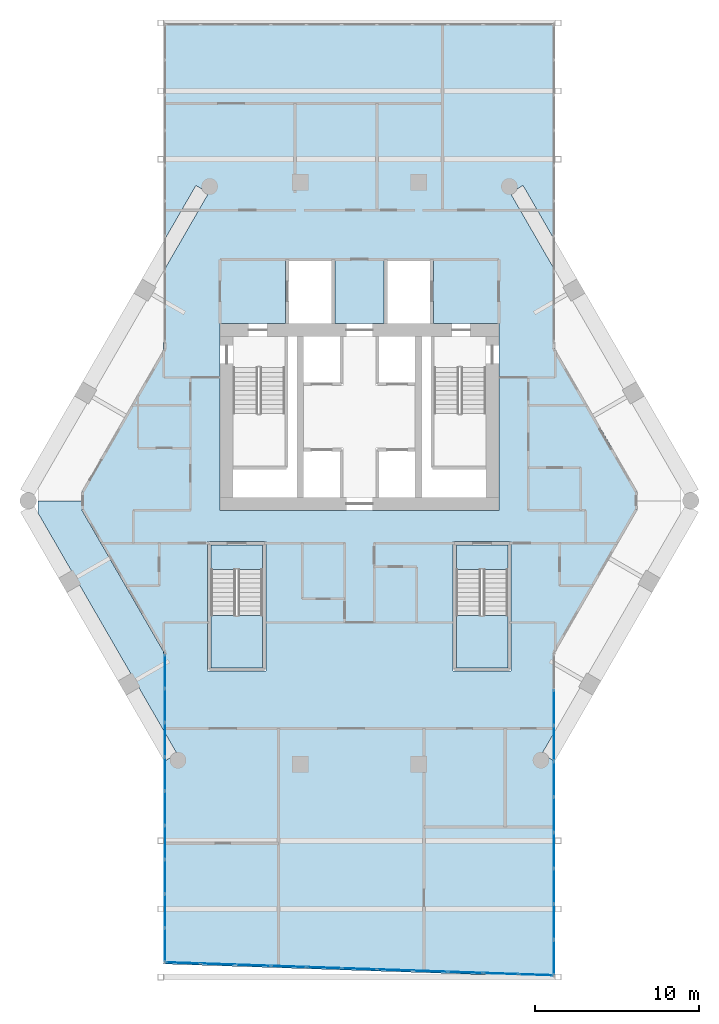
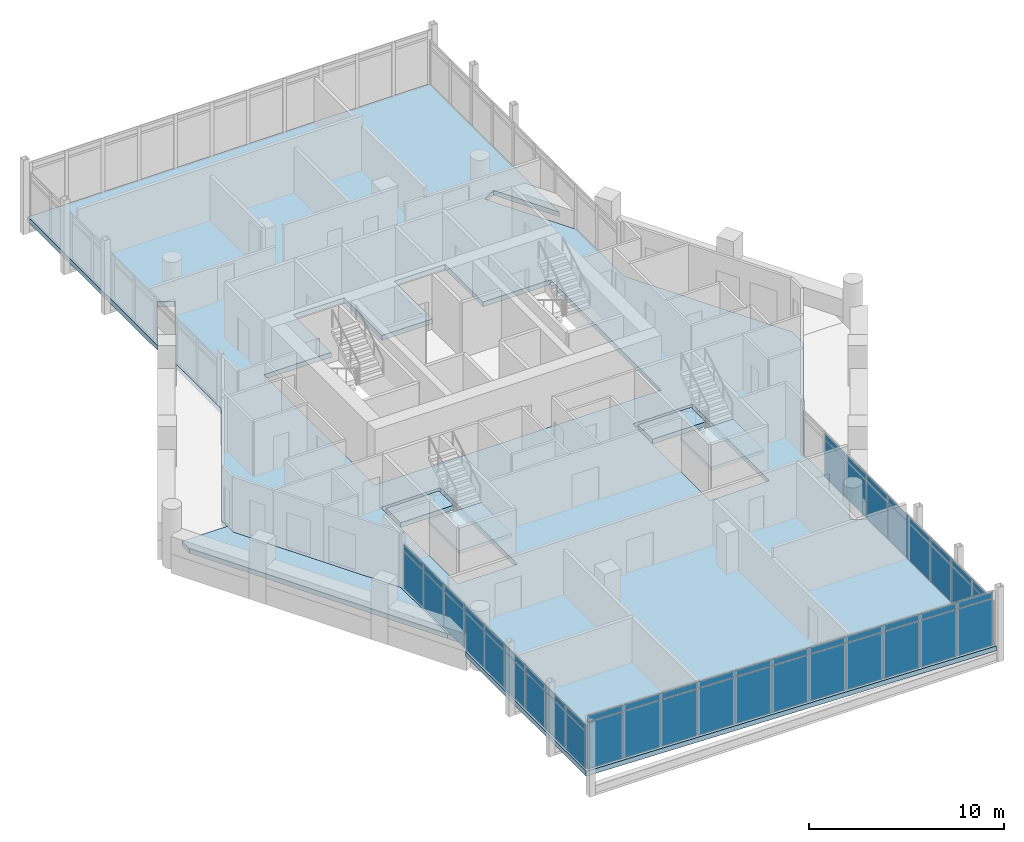
# One storey, part 22 of 29: 56 plates, 6 slabs, 5 elements without a shape of their own.
"""IFC4 building model written with IfcOpenShell, lengths in metres."""

from ifc_helpers import new_model, si_unit, direction, frame, origin, origin_2d, place, context, subcontext, project, spatial, polyline, rectangle, outline, extrude, material, layer, layer_set, type_object, element, aggregate, save


model = new_model("IFC4")

# Units and contexts
model_context = context("Model", 3, precision=1e-05, world=origin(), true_north=direction((0.0, 1.0)))
body_context = subcontext(model_context, "Body", "Model", "MODEL_VIEW")
ifc_project = project(units=[si_unit("LENGTHUNIT", "METRE"), si_unit("AREAUNIT", "SQUARE_METRE"), si_unit("VOLUMEUNIT", "CUBIC_METRE"), si_unit("PLANEANGLEUNIT", "RADIAN"), si_unit("MASSUNIT", "GRAM", prefix="KILO")], contexts=[model_context])

# Site, building, storey
site_placement = place(None, origin())
site = spatial("IfcSite", under=ifc_project, at=site_placement, CompositionType="ELEMENT")
building_placement = place(site_placement, origin())
building = spatial("IfcBuilding", under=site, at=building_placement, Name="Ostrander Bayou Hotel Tower", CompositionType="ELEMENT")
storey_placement = place(building_placement, frame((0.0, 0.0, 205.75)))
storey = spatial("IfcBuildingStorey", under=building, at=storey_placement, Name="L51", CompositionType="ELEMENT", Elevation=205.75)

# Curtain wall, plates
ifc_material_1 = material(Name="Aluminium and clear glass", Category="aluminium")
curtain_wall_type = type_object("IfcCurtainWallType", Name="CW-BAR glazed wall", PredefinedType="NOTDEFINED", material=ifc_material_1)
curtain_wall_1_placement = place(storey_placement, origin())
curtain_wall_1 = element("IfcCurtainWall", 1, at=curtain_wall_1_placement, inside=storey, type_object=curtain_wall_type, Name="CW-BAR L51:SB4S:E", PredefinedType="NOTDEFINED")
ifc_material_2 = material(Name="Clear laminated glass", Category="glass")
ifc_layer_1 = layer(ifc_material_2, 0.028076171875)
ifc_layer_set_1 = layer_set([ifc_layer_1], Name="CW-BR glazing panel 28 mm")
plate_type = type_object("IfcPlateType", Name="CW-BR glazing panel 28 mm", PredefinedType="CURTAIN_PANEL", material=ifc_layer_set_1)
plate_1_placement = place(storey_placement, frame((-11.857177734375, -11.521484375, 0.06005859375), z_axis=(0.0, 0.0, 1.0), x_axis=(0.0, -1.0, 0.0)))
plate_1 = element("IfcPlate", 2, at=plate_1_placement, type_object=plate_type, Name="CW-BAR panel 1.1", PredefinedType="CURTAIN_PANEL", context=body_context, shape_type="SweptSolid", body=[
    extrude(rectangle(XDim=1.997802734375, YDim=0.028076171875, at=origin_2d()), origin(), (0.0, 0.0, 1.0), 2.31005859375),
])
plate_2_placement = place(storey_placement, frame((-11.857177734375, -11.521484375, 2.43017578125), z_axis=(0.0, 0.0, 1.0), x_axis=(0.0, -1.0, 0.0)))
plate_2 = element("IfcPlate", 3, at=plate_2_placement, type_object=plate_type, Name="CW-BAR panel 1.2", PredefinedType="CURTAIN_PANEL", context=body_context, shape_type="SweptSolid", body=[
    extrude(rectangle(XDim=1.997802734375, YDim=0.028076171875, at=origin_2d()), origin(), (0.0, 0.0, 1.0), 0.360107421875),
])
plate_3_placement = place(storey_placement, frame((-11.857177734375, -13.59423828125, 0.06005859375), z_axis=(0.0, 0.0, 1.0), x_axis=(0.0, -1.0, 0.0)))
plate_3 = element("IfcPlate", 4, at=plate_3_placement, type_object=plate_type, Name="CW-BAR panel 2.1", PredefinedType="CURTAIN_PANEL", context=body_context, shape_type="SweptSolid", body=[
    extrude(rectangle(XDim=2.02783203125, YDim=0.028076171875, at=origin_2d()), origin(), (0.0, 0.0, 1.0), 2.31005859375),
])
plate_4_placement = place(storey_placement, frame((-11.857177734375, -13.59423828125, 2.43017578125), z_axis=(0.0, 0.0, 1.0), x_axis=(0.0, -1.0, 0.0)))
plate_4 = element("IfcPlate", 5, at=plate_4_placement, type_object=plate_type, Name="CW-BAR panel 2.2", PredefinedType="CURTAIN_PANEL", context=body_context, shape_type="SweptSolid", body=[
    extrude(rectangle(XDim=2.02783203125, YDim=0.028076171875, at=origin_2d()), origin(), (0.0, 0.0, 1.0), 0.360107421875),
])
plate_5_placement = place(storey_placement, frame((-11.857177734375, -15.68212890625, 0.06005859375), z_axis=(0.0, 0.0, 1.0), x_axis=(0.0, -1.0, 0.0)))
plate_5 = element("IfcPlate", 6, at=plate_5_placement, type_object=plate_type, Name="CW-BAR panel 3.1", PredefinedType="CURTAIN_PANEL", context=body_context, shape_type="SweptSolid", body=[
    extrude(rectangle(XDim=2.02783203125, YDim=0.028076171875, at=origin_2d()), origin(), (0.0, 0.0, 1.0), 2.31005859375),
])
plate_6_placement = place(storey_placement, frame((-11.857177734375, -15.68212890625, 2.43017578125), z_axis=(0.0, 0.0, 1.0), x_axis=(0.0, -1.0, 0.0)))
plate_6 = element("IfcPlate", 7, at=plate_6_placement, type_object=plate_type, Name="CW-BAR panel 3.2", PredefinedType="CURTAIN_PANEL", context=body_context, shape_type="SweptSolid", body=[
    extrude(rectangle(XDim=2.02783203125, YDim=0.028076171875, at=origin_2d()), origin(), (0.0, 0.0, 1.0), 0.360107421875),
])
plate_7_placement = place(storey_placement, frame((-11.857177734375, -17.769775390625, 0.06005859375), z_axis=(0.0, 0.0, 1.0), x_axis=(0.0, -1.0, 0.0)))
plate_7 = element("IfcPlate", 8, at=plate_7_placement, type_object=plate_type, Name="CW-BAR panel 4.1", PredefinedType="CURTAIN_PANEL", context=body_context, shape_type="SweptSolid", body=[
    extrude(rectangle(XDim=2.02783203125, YDim=0.028076171875, at=origin_2d()), origin(), (0.0, 0.0, 1.0), 2.31005859375),
])
plate_8_placement = place(storey_placement, frame((-11.857177734375, -17.769775390625, 2.43017578125), z_axis=(0.0, 0.0, 1.0), x_axis=(0.0, -1.0, 0.0)))
plate_8 = element("IfcPlate", 9, at=plate_8_placement, type_object=plate_type, Name="CW-BAR panel 4.2", PredefinedType="CURTAIN_PANEL", context=body_context, shape_type="SweptSolid", body=[
    extrude(rectangle(XDim=2.02783203125, YDim=0.028076171875, at=origin_2d()), origin(), (0.0, 0.0, 1.0), 0.360107421875),
])
plate_9_placement = place(storey_placement, frame((-11.857177734375, -19.857666015625, 0.06005859375), z_axis=(0.0, 0.0, 1.0), x_axis=(0.0, -1.0, 0.0)))
plate_9 = element("IfcPlate", 10, at=plate_9_placement, type_object=plate_type, Name="CW-BAR panel 5.1", PredefinedType="CURTAIN_PANEL", context=body_context, shape_type="SweptSolid", body=[
    extrude(rectangle(XDim=2.02783203125, YDim=0.028076171875, at=origin_2d()), origin(), (0.0, 0.0, 1.0), 2.31005859375),
])
plate_10_placement = place(storey_placement, frame((-11.857177734375, -19.857666015625, 2.43017578125), z_axis=(0.0, 0.0, 1.0), x_axis=(0.0, -1.0, 0.0)))
plate_10 = element("IfcPlate", 11, at=plate_10_placement, type_object=plate_type, Name="CW-BAR panel 5.2", PredefinedType="CURTAIN_PANEL", context=body_context, shape_type="SweptSolid", body=[
    extrude(rectangle(XDim=2.02783203125, YDim=0.028076171875, at=origin_2d()), origin(), (0.0, 0.0, 1.0), 0.360107421875),
])
plate_11_placement = place(storey_placement, frame((-11.857177734375, -21.9453125, 0.06005859375), z_axis=(0.0, 0.0, 1.0), x_axis=(0.0, -1.0, 0.0)))
plate_11 = element("IfcPlate", 12, at=plate_11_placement, type_object=plate_type, Name="CW-BAR panel 6.1", PredefinedType="CURTAIN_PANEL", context=body_context, shape_type="SweptSolid", body=[
    extrude(rectangle(XDim=2.02783203125, YDim=0.028076171875, at=origin_2d()), origin(), (0.0, 0.0, 1.0), 2.31005859375),
])
plate_12_placement = place(storey_placement, frame((-11.857177734375, -21.9453125, 2.43017578125), z_axis=(0.0, 0.0, 1.0), x_axis=(0.0, -1.0, 0.0)))
plate_12 = element("IfcPlate", 13, at=plate_12_placement, type_object=plate_type, Name="CW-BAR panel 6.2", PredefinedType="CURTAIN_PANEL", context=body_context, shape_type="SweptSolid", body=[
    extrude(rectangle(XDim=2.02783203125, YDim=0.028076171875, at=origin_2d()), origin(), (0.0, 0.0, 1.0), 0.360107421875),
])
plate_13_placement = place(storey_placement, frame((-11.857177734375, -24.033203125, 0.06005859375), z_axis=(0.0, 0.0, 1.0), x_axis=(0.0, -1.0, 0.0)))
plate_13 = element("IfcPlate", 14, at=plate_13_placement, type_object=plate_type, Name="CW-BAR panel 7.1", PredefinedType="CURTAIN_PANEL", context=body_context, shape_type="SweptSolid", body=[
    extrude(rectangle(XDim=2.02783203125, YDim=0.028076171875, at=origin_2d()), origin(), (0.0, 0.0, 1.0), 2.31005859375),
])
plate_14_placement = place(storey_placement, frame((-11.857177734375, -24.033203125, 2.43017578125), z_axis=(0.0, 0.0, 1.0), x_axis=(0.0, -1.0, 0.0)))
plate_14 = element("IfcPlate", 15, at=plate_14_placement, type_object=plate_type, Name="CW-BAR panel 7.2", PredefinedType="CURTAIN_PANEL", context=body_context, shape_type="SweptSolid", body=[
    extrude(rectangle(XDim=2.02783203125, YDim=0.028076171875, at=origin_2d()), origin(), (0.0, 0.0, 1.0), 0.360107421875),
])
plate_15_placement = place(storey_placement, frame((-11.857177734375, -26.120849609375, 0.06005859375), z_axis=(0.0, 0.0, 1.0), x_axis=(0.0, -1.0, 0.0)))
plate_15 = element("IfcPlate", 16, at=plate_15_placement, type_object=plate_type, Name="CW-BAR panel 8.1", PredefinedType="CURTAIN_PANEL", context=body_context, shape_type="SweptSolid", body=[
    extrude(rectangle(XDim=2.02783203125, YDim=0.028076171875, at=origin_2d()), origin(), (0.0, 0.0, 1.0), 2.31005859375),
])
plate_16_placement = place(storey_placement, frame((-11.857177734375, -26.120849609375, 2.43017578125), z_axis=(0.0, 0.0, 1.0), x_axis=(0.0, -1.0, 0.0)))
plate_16 = element("IfcPlate", 17, at=plate_16_placement, type_object=plate_type, Name="CW-BAR panel 8.2", PredefinedType="CURTAIN_PANEL", context=body_context, shape_type="SweptSolid", body=[
    extrude(rectangle(XDim=2.02783203125, YDim=0.028076171875, at=origin_2d()), origin(), (0.0, 0.0, 1.0), 0.360107421875),
])
plate_17_placement = place(storey_placement, frame((-11.857177734375, -28.193603515625, 0.06005859375), z_axis=(0.0, 0.0, 1.0), x_axis=(0.0, -1.0, 0.0)))
plate_17 = element("IfcPlate", 18, at=plate_17_placement, type_object=plate_type, Name="CW-BAR panel 9.1", PredefinedType="CURTAIN_PANEL", context=body_context, shape_type="SweptSolid", body=[
    extrude(rectangle(XDim=1.997802734375, YDim=0.028076171875, at=origin_2d()), origin(), (0.0, 0.0, 1.0), 2.31005859375),
])
plate_18_placement = place(storey_placement, frame((-11.857177734375, -28.193603515625, 2.43017578125), z_axis=(0.0, 0.0, 1.0), x_axis=(0.0, -1.0, 0.0)))
plate_18 = element("IfcPlate", 19, at=plate_18_placement, type_object=plate_type, Name="CW-BAR panel 9.2", PredefinedType="CURTAIN_PANEL", context=body_context, shape_type="SweptSolid", body=[
    extrude(rectangle(XDim=1.997802734375, YDim=0.028076171875, at=origin_2d()), origin(), (0.0, 0.0, 1.0), 0.360107421875),
])
aggregate(curtain_wall_1, [plate_1, plate_2, plate_3, plate_4, plate_5, plate_6, plate_7, plate_8, plate_9, plate_10, plate_11, plate_12, plate_13, plate_14, plate_15, plate_16, plate_17, plate_18])

curtain_wall_2_placement = place(storey_placement, origin())
curtain_wall_2 = element("IfcCurtainWall", 20, at=curtain_wall_2_placement, inside=storey, type_object=curtain_wall_type, Name="CW-BAR L51:SB4S:T", PredefinedType="NOTDEFINED")
plate_19_placement = place(storey_placement, frame((-10.76416015625, -29.2890625, 0.06005859375), z_axis=(0.0, 0.0, 1.0), x_axis=(0.999438546097, -0.03350511268, 0.0)))
plate_19 = element("IfcPlate", 21, at=plate_19_placement, type_object=plate_type, Name="CW-BAR panel 1.1", PredefinedType="CURTAIN_PANEL", context=body_context, shape_type="SweptSolid", body=[
    extrude(rectangle(XDim=2.067138671875, YDim=0.028076171875, at=origin_2d()), origin(), (0.0, 0.0, 1.0), 2.909912109375),
])
plate_20_placement = place(storey_placement, frame((-10.76416015625, -29.2890625, 3.02978515625), z_axis=(0.0, 0.0, 1.0), x_axis=(0.999438546097, -0.03350511268, 0.0)))
plate_20 = element("IfcPlate", 22, at=plate_20_placement, type_object=plate_type, Name="CW-BAR panel 1.2", PredefinedType="CURTAIN_PANEL", context=body_context, shape_type="SweptSolid", body=[
    extrude(rectangle(XDim=2.067138671875, YDim=0.028076171875, at=origin_2d()), origin(), (0.0, 0.0, 1.0), 0.360107421875),
])
plate_21_placement = place(storey_placement, frame((-8.62353515625, -29.36083984375, 0.06005859375), z_axis=(0.0, 0.0, 1.0), x_axis=(0.999438546097, -0.03350511268, 0.0)))
plate_21 = element("IfcPlate", 23, at=plate_21_placement, type_object=plate_type, Name="CW-BAR panel 2.1", PredefinedType="CURTAIN_PANEL", context=body_context, shape_type="SweptSolid", body=[
    extrude(rectangle(XDim=2.09716796875, YDim=0.028076171875, at=origin_2d()), origin(), (0.0, 0.0, 1.0), 2.909912109375),
])
plate_22_placement = place(storey_placement, frame((-8.62353515625, -29.36083984375, 3.02978515625), z_axis=(0.0, 0.0, 1.0), x_axis=(0.999438546097, -0.03350511268, 0.0)))
plate_22 = element("IfcPlate", 24, at=plate_22_placement, type_object=plate_type, Name="CW-BAR panel 2.2", PredefinedType="CURTAIN_PANEL", context=body_context, shape_type="SweptSolid", body=[
    extrude(rectangle(XDim=2.09716796875, YDim=0.028076171875, at=origin_2d()), origin(), (0.0, 0.0, 1.0), 0.360107421875),
])
plate_23_placement = place(storey_placement, frame((-6.467529296875, -29.43310546875, 0.06005859375), z_axis=(0.0, 0.0, 1.0), x_axis=(0.999438546097, -0.03350511268, 0.0)))
plate_23 = element("IfcPlate", 25, at=plate_23_placement, type_object=plate_type, Name="CW-BAR panel 3.1", PredefinedType="CURTAIN_PANEL", context=body_context, shape_type="SweptSolid", body=[
    extrude(rectangle(XDim=2.09716796875, YDim=0.028076171875, at=origin_2d()), origin(), (0.0, 0.0, 1.0), 2.909912109375),
])
plate_24_placement = place(storey_placement, frame((-6.467529296875, -29.43310546875, 3.02978515625), z_axis=(0.0, 0.0, 1.0), x_axis=(0.999438546097, -0.03350511268, 0.0)))
plate_24 = element("IfcPlate", 26, at=plate_24_placement, type_object=plate_type, Name="CW-BAR panel 3.2", PredefinedType="CURTAIN_PANEL", context=body_context, shape_type="SweptSolid", body=[
    extrude(rectangle(XDim=2.09716796875, YDim=0.028076171875, at=origin_2d()), origin(), (0.0, 0.0, 1.0), 0.360107421875),
])
plate_25_placement = place(storey_placement, frame((-4.311767578125, -29.50537109375, 0.06005859375), z_axis=(0.0, 0.0, 1.0), x_axis=(0.999438546097, -0.03350511268, 0.0)))
plate_25 = element("IfcPlate", 27, at=plate_25_placement, type_object=plate_type, Name="CW-BAR panel 4.1", PredefinedType="CURTAIN_PANEL", context=body_context, shape_type="SweptSolid", body=[
    extrude(rectangle(XDim=2.09716796875, YDim=0.028076171875, at=origin_2d()), origin(), (0.0, 0.0, 1.0), 2.909912109375),
])
plate_26_placement = place(storey_placement, frame((-4.311767578125, -29.50537109375, 3.02978515625), z_axis=(0.0, 0.0, 1.0), x_axis=(0.999438546097, -0.03350511268, 0.0)))
plate_26 = element("IfcPlate", 28, at=plate_26_placement, type_object=plate_type, Name="CW-BAR panel 4.2", PredefinedType="CURTAIN_PANEL", context=body_context, shape_type="SweptSolid", body=[
    extrude(rectangle(XDim=2.09716796875, YDim=0.028076171875, at=origin_2d()), origin(), (0.0, 0.0, 1.0), 0.360107421875),
])
plate_27_placement = place(storey_placement, frame((-2.15576171875, -29.57763671875, 0.06005859375), z_axis=(0.0, 0.0, 1.0), x_axis=(0.999438546097, -0.03350511268, 0.0)))
plate_27 = element("IfcPlate", 29, at=plate_27_placement, type_object=plate_type, Name="CW-BAR panel 5.1", PredefinedType="CURTAIN_PANEL", context=body_context, shape_type="SweptSolid", body=[
    extrude(rectangle(XDim=2.09716796875, YDim=0.028076171875, at=origin_2d()), origin(), (0.0, 0.0, 1.0), 2.909912109375),
])
plate_28_placement = place(storey_placement, frame((-2.15576171875, -29.57763671875, 3.02978515625), z_axis=(0.0, 0.0, 1.0), x_axis=(0.999438546097, -0.03350511268, 0.0)))
plate_28 = element("IfcPlate", 30, at=plate_28_placement, type_object=plate_type, Name="CW-BAR panel 5.2", PredefinedType="CURTAIN_PANEL", context=body_context, shape_type="SweptSolid", body=[
    extrude(rectangle(XDim=2.09716796875, YDim=0.028076171875, at=origin_2d()), origin(), (0.0, 0.0, 1.0), 0.360107421875),
])
plate_29_placement = place(storey_placement, frame((0.0, -29.64990234375, 0.06005859375), z_axis=(0.0, 0.0, 1.0), x_axis=(0.999438546097, -0.03350511268, 0.0)))
plate_29 = element("IfcPlate", 31, at=plate_29_placement, type_object=plate_type, Name="CW-BAR panel 6.1", PredefinedType="CURTAIN_PANEL", context=body_context, shape_type="SweptSolid", body=[
    extrude(rectangle(XDim=2.09716796875, YDim=0.028076171875, at=origin_2d()), origin(), (0.0, 0.0, 1.0), 2.909912109375),
])
plate_30_placement = place(storey_placement, frame((0.0, -29.64990234375, 3.02978515625), z_axis=(0.0, 0.0, 1.0), x_axis=(0.999438546097, -0.03350511268, 0.0)))
plate_30 = element("IfcPlate", 32, at=plate_30_placement, type_object=plate_type, Name="CW-BAR panel 6.2", PredefinedType="CURTAIN_PANEL", context=body_context, shape_type="SweptSolid", body=[
    extrude(rectangle(XDim=2.09716796875, YDim=0.028076171875, at=origin_2d()), origin(), (0.0, 0.0, 1.0), 0.360107421875),
])
plate_31_placement = place(storey_placement, frame((2.15576171875, -29.72216796875, 0.06005859375), z_axis=(0.0, 0.0, 1.0), x_axis=(0.999438546097, -0.03350511268, 0.0)))
plate_31 = element("IfcPlate", 33, at=plate_31_placement, type_object=plate_type, Name="CW-BAR panel 7.1", PredefinedType="CURTAIN_PANEL", context=body_context, shape_type="SweptSolid", body=[
    extrude(rectangle(XDim=2.09716796875, YDim=0.028076171875, at=origin_2d()), origin(), (0.0, 0.0, 1.0), 2.909912109375),
])
plate_32_placement = place(storey_placement, frame((2.15576171875, -29.72216796875, 3.02978515625), z_axis=(0.0, 0.0, 1.0), x_axis=(0.999438546097, -0.03350511268, 0.0)))
plate_32 = element("IfcPlate", 34, at=plate_32_placement, type_object=plate_type, Name="CW-BAR panel 7.2", PredefinedType="CURTAIN_PANEL", context=body_context, shape_type="SweptSolid", body=[
    extrude(rectangle(XDim=2.09716796875, YDim=0.028076171875, at=origin_2d()), origin(), (0.0, 0.0, 1.0), 0.360107421875),
])
plate_33_placement = place(storey_placement, frame((4.311767578125, -29.79443359375, 0.06005859375), z_axis=(0.0, 0.0, 1.0), x_axis=(0.999438546097, -0.03350511268, 0.0)))
plate_33 = element("IfcPlate", 35, at=plate_33_placement, type_object=plate_type, Name="CW-BAR panel 8.1", PredefinedType="CURTAIN_PANEL", context=body_context, shape_type="SweptSolid", body=[
    extrude(rectangle(XDim=2.09716796875, YDim=0.028076171875, at=origin_2d()), origin(), (0.0, 0.0, 1.0), 2.909912109375),
])
plate_34_placement = place(storey_placement, frame((4.311767578125, -29.79443359375, 3.02978515625), z_axis=(0.0, 0.0, 1.0), x_axis=(0.999438546097, -0.03350511268, 0.0)))
plate_34 = element("IfcPlate", 36, at=plate_34_placement, type_object=plate_type, Name="CW-BAR panel 8.2", PredefinedType="CURTAIN_PANEL", context=body_context, shape_type="SweptSolid", body=[
    extrude(rectangle(XDim=2.09716796875, YDim=0.028076171875, at=origin_2d()), origin(), (0.0, 0.0, 1.0), 0.360107421875),
])
plate_35_placement = place(storey_placement, frame((6.467529296875, -29.86669921875, 0.06005859375), z_axis=(0.0, 0.0, 1.0), x_axis=(0.999438546097, -0.03350511268, 0.0)))
plate_35 = element("IfcPlate", 37, at=plate_35_placement, type_object=plate_type, Name="CW-BAR panel 9.1", PredefinedType="CURTAIN_PANEL", context=body_context, shape_type="SweptSolid", body=[
    extrude(rectangle(XDim=2.09716796875, YDim=0.028076171875, at=origin_2d()), origin(), (0.0, 0.0, 1.0), 2.909912109375),
])
plate_36_placement = place(storey_placement, frame((6.467529296875, -29.86669921875, 3.02978515625), z_axis=(0.0, 0.0, 1.0), x_axis=(0.999438546097, -0.03350511268, 0.0)))
plate_36 = element("IfcPlate", 38, at=plate_36_placement, type_object=plate_type, Name="CW-BAR panel 9.2", PredefinedType="CURTAIN_PANEL", context=body_context, shape_type="SweptSolid", body=[
    extrude(rectangle(XDim=2.09716796875, YDim=0.028076171875, at=origin_2d()), origin(), (0.0, 0.0, 1.0), 0.360107421875),
])
plate_37_placement = place(storey_placement, frame((8.62353515625, -29.939208984375, 0.06005859375), z_axis=(0.0, 0.0, 1.0), x_axis=(0.999438546097, -0.03350511268, 0.0)))
plate_37 = element("IfcPlate", 39, at=plate_37_placement, type_object=plate_type, Name="CW-BAR panel 10.1", PredefinedType="CURTAIN_PANEL", context=body_context, shape_type="SweptSolid", body=[
    extrude(rectangle(XDim=2.09716796875, YDim=0.028076171875, at=origin_2d()), origin(), (0.0, 0.0, 1.0), 2.909912109375),
])
plate_38_placement = place(storey_placement, frame((8.62353515625, -29.939208984375, 3.02978515625), z_axis=(0.0, 0.0, 1.0), x_axis=(0.999438546097, -0.03350511268, 0.0)))
plate_38 = element("IfcPlate", 40, at=plate_38_placement, type_object=plate_type, Name="CW-BAR panel 10.2", PredefinedType="CURTAIN_PANEL", context=body_context, shape_type="SweptSolid", body=[
    extrude(rectangle(XDim=2.09716796875, YDim=0.028076171875, at=origin_2d()), origin(), (0.0, 0.0, 1.0), 0.360107421875),
])
plate_39_placement = place(storey_placement, frame((10.76416015625, -30.0107421875, 0.06005859375), z_axis=(0.0, 0.0, 1.0), x_axis=(0.999438546097, -0.03350511268, 0.0)))
plate_39 = element("IfcPlate", 41, at=plate_39_placement, type_object=plate_type, Name="CW-BAR panel 11.1", PredefinedType="CURTAIN_PANEL", context=body_context, shape_type="SweptSolid", body=[
    extrude(rectangle(XDim=2.067138671875, YDim=0.028076171875, at=origin_2d()), origin(), (0.0, 0.0, 1.0), 2.909912109375),
])
plate_40_placement = place(storey_placement, frame((10.76416015625, -30.0107421875, 3.02978515625), z_axis=(0.0, 0.0, 1.0), x_axis=(0.999438546097, -0.03350511268, 0.0)))
plate_40 = element("IfcPlate", 42, at=plate_40_placement, type_object=plate_type, Name="CW-BAR panel 11.2", PredefinedType="CURTAIN_PANEL", context=body_context, shape_type="SweptSolid", body=[
    extrude(rectangle(XDim=2.067138671875, YDim=0.028076171875, at=origin_2d()), origin(), (0.0, 0.0, 1.0), 0.360107421875),
])
aggregate(curtain_wall_2, [plate_19, plate_20, plate_21, plate_22, plate_23, plate_24, plate_25, plate_26, plate_27, plate_28, plate_29, plate_30, plate_31, plate_32, plate_33, plate_34, plate_35, plate_36, plate_37, plate_38, plate_39, plate_40])

curtain_wall_3_placement = place(storey_placement, origin())
curtain_wall_3 = element("IfcCurtainWall", 43, at=curtain_wall_3_placement, inside=storey, type_object=curtain_wall_type, Name="CW-BAR L51:SB4S:W", PredefinedType="NOTDEFINED")
plate_41_placement = place(storey_placement, frame((11.857177734375, -13.726806640625, 0.06005859375), z_axis=(0.0, 0.0, 1.0), x_axis=(0.0, -1.0, 0.0)))
plate_41 = element("IfcPlate", 44, at=plate_41_placement, type_object=plate_type, Name="CW-BAR panel 2.1", PredefinedType="CURTAIN_PANEL", context=body_context, shape_type="SweptSolid", body=[
    extrude(rectangle(XDim=2.1162109375, YDim=0.028076171875, at=origin_2d()), origin(), (0.0, 0.0, 1.0), 2.31005859375),
])
plate_42_placement = place(storey_placement, frame((11.857177734375, -13.726806640625, 2.43017578125), z_axis=(0.0, 0.0, 1.0), x_axis=(0.0, -1.0, 0.0)))
plate_42 = element("IfcPlate", 45, at=plate_42_placement, type_object=plate_type, Name="CW-BAR panel 2.2", PredefinedType="CURTAIN_PANEL", context=body_context, shape_type="SweptSolid", body=[
    extrude(rectangle(XDim=2.1162109375, YDim=0.028076171875, at=origin_2d()), origin(), (0.0, 0.0, 1.0), 0.360107421875),
])
plate_43_placement = place(storey_placement, frame((11.857177734375, -15.90283203125, 0.06005859375), z_axis=(0.0, 0.0, 1.0), x_axis=(0.0, -1.0, 0.0)))
plate_43 = element("IfcPlate", 46, at=plate_43_placement, type_object=plate_type, Name="CW-BAR panel 3.1", PredefinedType="CURTAIN_PANEL", context=body_context, shape_type="SweptSolid", body=[
    extrude(rectangle(XDim=2.1162109375, YDim=0.028076171875, at=origin_2d()), origin(), (0.0, 0.0, 1.0), 2.31005859375),
])
plate_44_placement = place(storey_placement, frame((11.857177734375, -15.90283203125, 2.43017578125), z_axis=(0.0, 0.0, 1.0), x_axis=(0.0, -1.0, 0.0)))
plate_44 = element("IfcPlate", 47, at=plate_44_placement, type_object=plate_type, Name="CW-BAR panel 3.2", PredefinedType="CURTAIN_PANEL", context=body_context, shape_type="SweptSolid", body=[
    extrude(rectangle(XDim=2.1162109375, YDim=0.028076171875, at=origin_2d()), origin(), (0.0, 0.0, 1.0), 0.360107421875),
])
plate_45_placement = place(storey_placement, frame((11.857177734375, -18.0791015625, 0.06005859375), z_axis=(0.0, 0.0, 1.0), x_axis=(0.0, -1.0, 0.0)))
plate_45 = element("IfcPlate", 48, at=plate_45_placement, type_object=plate_type, Name="CW-BAR panel 4.1", PredefinedType="CURTAIN_PANEL", context=body_context, shape_type="SweptSolid", body=[
    extrude(rectangle(XDim=2.1162109375, YDim=0.028076171875, at=origin_2d()), origin(), (0.0, 0.0, 1.0), 2.31005859375),
])
plate_46_placement = place(storey_placement, frame((11.857177734375, -18.0791015625, 2.43017578125), z_axis=(0.0, 0.0, 1.0), x_axis=(0.0, -1.0, 0.0)))
plate_46 = element("IfcPlate", 49, at=plate_46_placement, type_object=plate_type, Name="CW-BAR panel 4.2", PredefinedType="CURTAIN_PANEL", context=body_context, shape_type="SweptSolid", body=[
    extrude(rectangle(XDim=2.1162109375, YDim=0.028076171875, at=origin_2d()), origin(), (0.0, 0.0, 1.0), 0.360107421875),
])
plate_47_placement = place(storey_placement, frame((11.857177734375, -20.255126953125, 0.06005859375), z_axis=(0.0, 0.0, 1.0), x_axis=(0.0, -1.0, 0.0)))
plate_47 = element("IfcPlate", 50, at=plate_47_placement, type_object=plate_type, Name="CW-BAR panel 5.1", PredefinedType="CURTAIN_PANEL", context=body_context, shape_type="SweptSolid", body=[
    extrude(rectangle(XDim=2.1162109375, YDim=0.028076171875, at=origin_2d()), origin(), (0.0, 0.0, 1.0), 2.31005859375),
])
plate_48_placement = place(storey_placement, frame((11.857177734375, -20.255126953125, 2.43017578125), z_axis=(0.0, 0.0, 1.0), x_axis=(0.0, -1.0, 0.0)))
plate_48 = element("IfcPlate", 51, at=plate_48_placement, type_object=plate_type, Name="CW-BAR panel 5.2", PredefinedType="CURTAIN_PANEL", context=body_context, shape_type="SweptSolid", body=[
    extrude(rectangle(XDim=2.1162109375, YDim=0.028076171875, at=origin_2d()), origin(), (0.0, 0.0, 1.0), 0.360107421875),
])
plate_49_placement = place(storey_placement, frame((11.857177734375, -22.43115234375, 0.06005859375), z_axis=(0.0, 0.0, 1.0), x_axis=(0.0, -1.0, 0.0)))
plate_49 = element("IfcPlate", 52, at=plate_49_placement, type_object=plate_type, Name="CW-BAR panel 6.1", PredefinedType="CURTAIN_PANEL", context=body_context, shape_type="SweptSolid", body=[
    extrude(rectangle(XDim=2.1162109375, YDim=0.028076171875, at=origin_2d()), origin(), (0.0, 0.0, 1.0), 2.31005859375),
])
plate_50_placement = place(storey_placement, frame((11.857177734375, -22.43115234375, 2.43017578125), z_axis=(0.0, 0.0, 1.0), x_axis=(0.0, -1.0, 0.0)))
plate_50 = element("IfcPlate", 53, at=plate_50_placement, type_object=plate_type, Name="CW-BAR panel 6.2", PredefinedType="CURTAIN_PANEL", context=body_context, shape_type="SweptSolid", body=[
    extrude(rectangle(XDim=2.1162109375, YDim=0.028076171875, at=origin_2d()), origin(), (0.0, 0.0, 1.0), 0.360107421875),
])
plate_51_placement = place(storey_placement, frame((11.857177734375, -24.607177734375, 0.06005859375), z_axis=(0.0, 0.0, 1.0), x_axis=(0.0, -1.0, 0.0)))
plate_51 = element("IfcPlate", 54, at=plate_51_placement, type_object=plate_type, Name="CW-BAR panel 7.1", PredefinedType="CURTAIN_PANEL", context=body_context, shape_type="SweptSolid", body=[
    extrude(rectangle(XDim=2.1162109375, YDim=0.028076171875, at=origin_2d()), origin(), (0.0, 0.0, 1.0), 2.31005859375),
])
plate_52_placement = place(storey_placement, frame((11.857177734375, -24.607177734375, 2.43017578125), z_axis=(0.0, 0.0, 1.0), x_axis=(0.0, -1.0, 0.0)))
plate_52 = element("IfcPlate", 55, at=plate_52_placement, type_object=plate_type, Name="CW-BAR panel 7.2", PredefinedType="CURTAIN_PANEL", context=body_context, shape_type="SweptSolid", body=[
    extrude(rectangle(XDim=2.1162109375, YDim=0.028076171875, at=origin_2d()), origin(), (0.0, 0.0, 1.0), 0.360107421875),
])
plate_53_placement = place(storey_placement, frame((11.857177734375, -26.783447265625, 0.06005859375), z_axis=(0.0, 0.0, 1.0), x_axis=(0.0, -1.0, 0.0)))
plate_53 = element("IfcPlate", 56, at=plate_53_placement, type_object=plate_type, Name="CW-BAR panel 8.1", PredefinedType="CURTAIN_PANEL", context=body_context, shape_type="SweptSolid", body=[
    extrude(rectangle(XDim=2.1162109375, YDim=0.028076171875, at=origin_2d()), origin(), (0.0, 0.0, 1.0), 2.31005859375),
])
plate_54_placement = place(storey_placement, frame((11.857177734375, -26.783447265625, 2.43017578125), z_axis=(0.0, 0.0, 1.0), x_axis=(0.0, -1.0, 0.0)))
plate_54 = element("IfcPlate", 57, at=plate_54_placement, type_object=plate_type, Name="CW-BAR panel 8.2", PredefinedType="CURTAIN_PANEL", context=body_context, shape_type="SweptSolid", body=[
    extrude(rectangle(XDim=2.1162109375, YDim=0.028076171875, at=origin_2d()), origin(), (0.0, 0.0, 1.0), 0.360107421875),
])
plate_55_placement = place(storey_placement, frame((11.857177734375, -28.9443359375, 0.06005859375), z_axis=(0.0, 0.0, 1.0), x_axis=(0.0, -1.0, 0.0)))
plate_55 = element("IfcPlate", 58, at=plate_55_placement, type_object=plate_type, Name="CW-BAR panel 9.1", PredefinedType="CURTAIN_PANEL", context=body_context, shape_type="SweptSolid", body=[
    extrude(rectangle(XDim=2.086181640625, YDim=0.028076171875, at=origin_2d()), origin(), (0.0, 0.0, 1.0), 2.31005859375),
])
plate_56_placement = place(storey_placement, frame((11.857177734375, -28.9443359375, 2.43017578125), z_axis=(0.0, 0.0, 1.0), x_axis=(0.0, -1.0, 0.0)))
plate_56 = element("IfcPlate", 59, at=plate_56_placement, type_object=plate_type, Name="CW-BAR panel 9.2", PredefinedType="CURTAIN_PANEL", context=body_context, shape_type="SweptSolid", body=[
    extrude(rectangle(XDim=2.086181640625, YDim=0.028076171875, at=origin_2d()), origin(), (0.0, 0.0, 1.0), 0.360107421875),
])
aggregate(curtain_wall_3, [plate_41, plate_42, plate_43, plate_44, plate_45, plate_46, plate_47, plate_48, plate_49, plate_50, plate_51, plate_52, plate_53, plate_54, plate_55, plate_56])

# Slabs
ifc_material_3 = material(Name="Concrete f'c 40 MPa", Category="concrete")
ifc_layer_2 = layer(ifc_material_3, 0.300048828125)
ifc_layer_set_2 = layer_set([ifc_layer_2], Name="SL1 floor slab 300 mm f'c 40 MPa")
slab_type_1 = type_object("IfcSlabType", Name="SL1 floor slab 300 mm f'c 40 MPa", PredefinedType="FLOOR", material=ifc_layer_set_2)
slab_1_placement = place(storey_placement, frame((0.0, 0.0, -0.300048828125)))
element("IfcSlab", 60, at=slab_1_placement, inside=storey, type_object=slab_type_1, Name="SL1 L51 1", PredefinedType="FLOOR", context=body_context, shape_type="SweptSolid", body=[
    extrude(outline(polyline([(-11.897705078125, -16.992431640625), (-11.118408203125, -16.54248046875), (-11.93212890625, -15.1328125), (-11.93212890625, -10.332763671875), (-16.908935546875, -1.712890625), (-16.908935546875, -0.5126953125), (-11.93212890625, 8.107177734375), (-11.93212890625, 12.9072265625), (-9.19091796875, 17.6552734375), (-9.97021484375, 18.105224609375), (-11.93212890625, 14.707275390625), (-11.93212890625, 28.01611328125), (11.93212890625, 28.01611328125), (11.93212890625, 14.707275390625), (9.97021484375, 18.105224609375), (9.19091796875, 17.6552734375), (11.93212890625, 12.9072265625), (11.93212890625, 8.107177734375), (16.908935546875, -0.5126953125), (16.908935546875, -1.712890625), (11.93212890625, -10.332763671875), (11.93212890625, -15.1328125), (11.118408203125, -16.54248046875), (11.897705078125, -16.992431640625), (11.93212890625, -16.932861328125), (11.93212890625, -30.14990234375), (-11.93212890625, -29.35009765625), (-11.93212890625, -16.932861328125), (-11.897705078125, -16.992431640625)]), holes=[polyline([(9.25, -3.60009765625), (5.699951171875, -3.60009765625), (5.699951171875, -11.5), (9.25, -11.5), (9.25, -3.60009765625)]), polyline([(-8.5, -1.699951171875), (8.5, -1.699951171875), (8.5, 9.699951171875), (4.5, 9.699951171875), (4.5, 13.60009765625), (1.5, 13.60009765625), (1.5, 9.699951171875), (-1.5, 9.699951171875), (-1.5, 13.60009765625), (-4.5, 13.60009765625), (-4.5, 9.699951171875), (-8.5, 9.699951171875), (-8.5, -1.699951171875)]), polyline([(-5.699951171875, -3.60009765625), (-9.25, -3.60009765625), (-9.25, -11.5), (-5.699951171875, -11.5), (-5.699951171875, -3.60009765625)])]), origin(), (0.0, 0.0, 1.0), 0.300048828125),
])
slab_2_placement = place(storey_placement, frame((0.0, 0.0, -0.300048828125)))
element("IfcSlab", 61, at=slab_2_placement, inside=storey, type_object=slab_type_1, Name="cslab:L51:004", PredefinedType="FLOOR", context=body_context, shape_type="SweptSolid", body=[
    extrude(outline(polyline([(9.050048828125, -5.300048828125), (9.050048828125, -3.800048828125), (5.89990234375, -3.800048828125), (5.89990234375, -5.300048828125), (9.050048828125, -5.300048828125)])), origin(), (0.0, 0.0, 1.0), 0.300048828125),
])
slab_3_placement = place(storey_placement, frame((0.0, 0.0, -0.300048828125)))
element("IfcSlab", 62, at=slab_3_placement, inside=storey, type_object=slab_type_1, Name="cslab:L51:005", PredefinedType="FLOOR", context=body_context, shape_type="SweptSolid", body=[
    extrude(outline(polyline([(-5.89990234375, -5.300048828125), (-5.89990234375, -3.800048828125), (-9.050048828125, -3.800048828125), (-9.050048828125, -5.300048828125), (-5.89990234375, -5.300048828125)])), origin(), (0.0, 0.0, 1.0), 0.300048828125),
])
ifc_material_4 = material(Name="Concrete f'c 40 MPa", Category="concrete")
ifc_layer_3 = layer(ifc_material_4, 0.300048828125)
ifc_layer_set_3 = layer_set([ifc_layer_3], Name="SL4 loggia slab 300 mm f'c 40 MPa")
slab_type_2 = type_object("IfcSlabType", Name="SL4 loggia slab 300 mm f'c 40 MPa", PredefinedType="FLOOR", material=ifc_layer_set_3)
slab_4_placement = place(storey_placement, frame((0.0, 0.0, -0.300048828125)))
element("IfcSlab", 63, at=slab_4_placement, inside=storey, type_object=slab_type_2, Name="SL4 LOGGIA L51 SW 1", PredefinedType="FLOOR", context=body_context, shape_type="SweptSolid", body=[
    extrude(outline(polyline([(-11.93212890625, -11.873046875), (-11.93212890625, -15.1328125), (-13.457763671875, -12.490478515625), (-13.927734375, -11.67626953125), (-17.075927734375, -6.2236328125), (-17.5458984375, -5.40966796875), (-19.593505859375, -1.86279296875), (-19.593505859375, -1.11279296875), (-16.908935546875, -1.11279296875), (-16.908935546875, -1.712890625), (-11.93212890625, -10.332763671875), (-11.93212890625, -11.873046875)])), origin(), (0.0, 0.0, 1.0), 0.300048828125),
])

# Stair, slab
ifc_material_5 = material(Name="Concrete f'c 45 MPa", Category="concrete")
stair_type = type_object("IfcStairType", Name="ST1 exit stair 1500 mm f'c 45 MPa", PredefinedType="HALF_TURN_STAIR", material=ifc_material_5)
stair_1_placement = place(storey_placement, origin())
stair_1 = element("IfcStair", 64, at=stair_1_placement, inside=storey, type_object=stair_type, Name="L51 exit stair C", PredefinedType="HALF_TURN_STAIR")
ifc_material_6 = material(Name="Concrete f'c 45 MPa", Category="concrete")
ifc_layer_4 = layer(ifc_material_6, 0.199951171875)
ifc_layer_set_4 = layer_set([ifc_layer_4], Name="SL8 stair landing 200 mm f'c 45 MPa")
slab_type_3 = type_object("IfcSlabType", Name="SL8 stair landing 200 mm f'c 45 MPa", PredefinedType="LANDING", material=ifc_layer_set_4)
slab_5_placement = place(storey_placement, frame((0.0, 0.0, 1.675048828125)))
slab_5 = element("IfcSlab", 65, at=slab_5_placement, type_object=slab_type_3, Name="STC landing 1", PredefinedType="LANDING", context=body_context, shape_type="SweptSolid", body=[
    extrude(outline(polyline([(5.89990234375, -8.10009765625), (5.89990234375, -11.300048828125), (9.050048828125, -11.300048828125), (9.050048828125, -8.10009765625), (5.89990234375, -8.10009765625)])), origin(), (0.0, 0.0, 1.0), 0.199951171875),
])
aggregate(stair_1, [slab_5])

stair_2_placement = place(storey_placement, origin())
stair_2 = element("IfcStair", 66, at=stair_2_placement, inside=storey, type_object=stair_type, Name="L51 exit stair D", PredefinedType="HALF_TURN_STAIR")
slab_6_placement = place(storey_placement, frame((0.0, 0.0, 1.675048828125)))
slab_6 = element("IfcSlab", 67, at=slab_6_placement, type_object=slab_type_3, Name="STD landing 1", PredefinedType="LANDING", context=body_context, shape_type="SweptSolid", body=[
    extrude(outline(polyline([(-9.050048828125, -8.10009765625), (-9.050048828125, -11.300048828125), (-5.89990234375, -11.300048828125), (-5.89990234375, -8.10009765625), (-9.050048828125, -8.10009765625)])), origin(), (0.0, 0.0, 1.0), 0.199951171875),
])
aggregate(stair_2, [slab_6])

save(model, "model.ifc")
